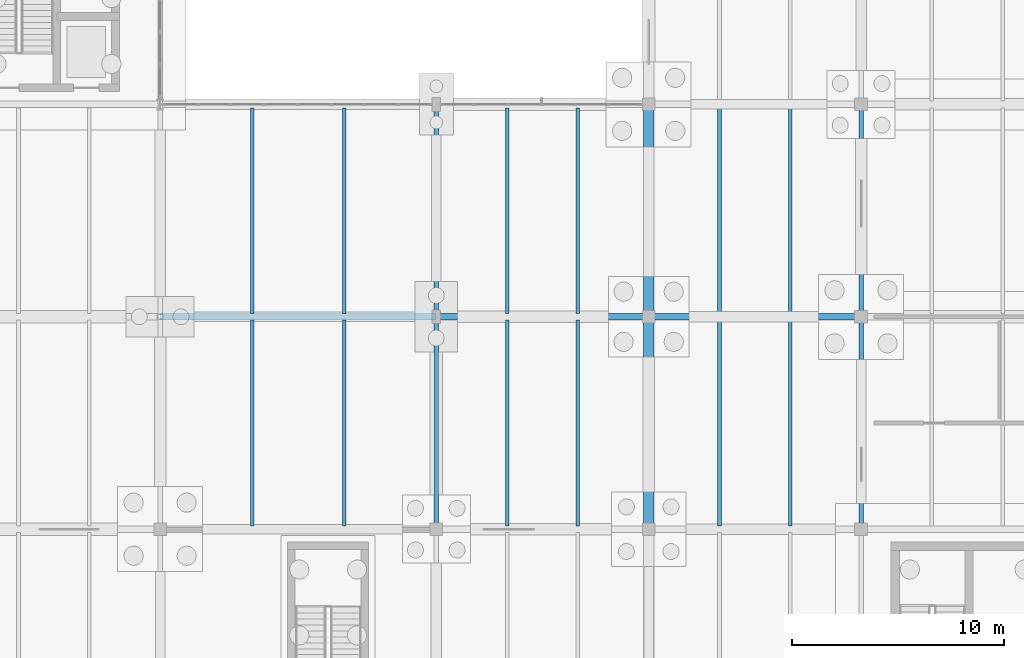
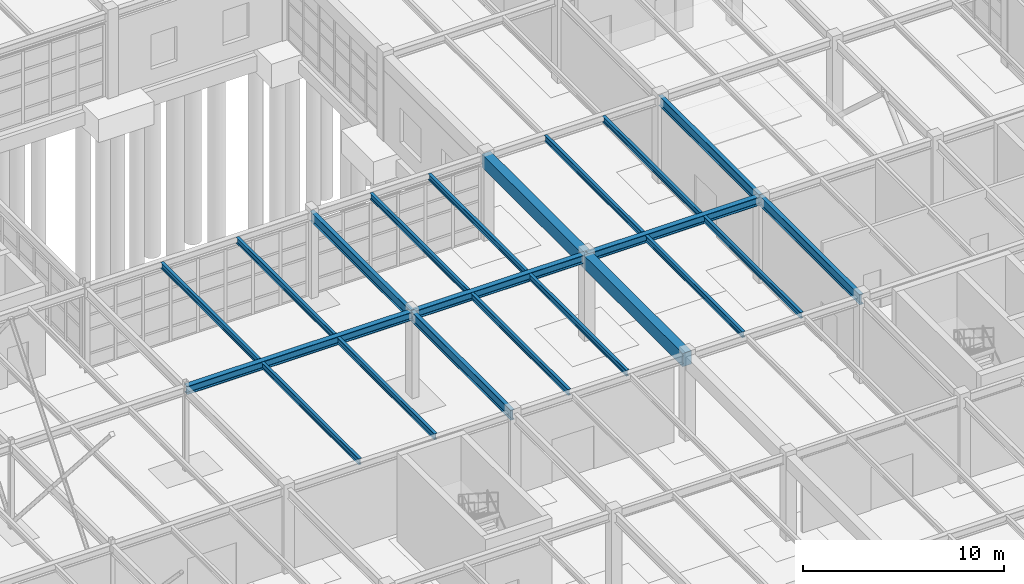
# One storey, part 67 of 145: 21 beams.
"""IFC4 building model written with IfcOpenShell, lengths in metres."""

from ifc_helpers import new_model, si_unit, direction, frame, origin, origin_2d, place, context, subcontext, project, spatial, rectangle, i_section, extrude, material, material_profile, profile_set, type_object, element, save


model = new_model("IFC4")

# Units and contexts
model_context = context("Model", 3, precision=1e-05, world=origin(), true_north=direction((0.0, 1.0)))
body_context = subcontext(model_context, "Body", "Model", "MODEL_VIEW")
ifc_project = project(units=[si_unit("LENGTHUNIT", "METRE"), si_unit("AREAUNIT", "SQUARE_METRE"), si_unit("VOLUMEUNIT", "CUBIC_METRE"), si_unit("PLANEANGLEUNIT", "RADIAN"), si_unit("MASSUNIT", "GRAM", prefix="KILO"), si_unit("THERMODYNAMICTEMPERATUREUNIT", "KELVIN"), si_unit("POWERUNIT", "WATT")], contexts=[model_context])

# Site, building, storey
site_placement = place(None, origin())
site = spatial("IfcSite", under=ifc_project, at=site_placement, CompositionType="ELEMENT")
building_placement = place(site_placement, origin())
building = spatial("IfcBuilding", under=site, at=building_placement, Name="Korenveer Ferry Terminal", CompositionType="ELEMENT")
storey_placement = place(building_placement, origin())
storey = spatial("IfcBuildingStorey", under=building, at=storey_placement, Name="L00", CompositionType="ELEMENT", Elevation=0.0)

# Beams
ifc_material_1 = material(Name="Steel S355", Category="steel")
ifc_material_profile_1 = material_profile(ifc_material_1, i_section(OverallWidth=0.300048828125, OverallDepth=0.5, WebThickness=0.014404296875, FlangeThickness=0.028076171875, FilletRadius=0.027099609375, at=origin_2d()), Name="HEB 500")
ifc_profile_set_1 = profile_set([ifc_material_profile_1], Name="Steel S355")
beam_type_1 = type_object("IfcBeamType", Name="STR-BM-HEB500", PredefinedType="BEAM", material=ifc_profile_set_1)
beam_placement = place(storey_placement, frame((123.02001953125, 40.0, 4.8701171875), z_axis=(1.0, 0.0, 0.0), x_axis=(0.0, 1.0, 0.0)))
element("IfcBeam", 1, at=beam_placement, inside=storey, type_object=beam_type_1, Name="Primary X girder BMX-L01-X123-136-Y40", PredefinedType="BEAM", context=body_context, shape_type="SweptSolid", body=[
    extrude(i_section(OverallWidth=0.300048828125, OverallDepth=0.5, WebThickness=0.014404296875, FlangeThickness=0.028076171875, FilletRadius=0.027099609375, at=origin_2d()), origin(), (0.0, 0.0, 1.0), 12.9599609375),
])
for number, where, z_axis, x_axis, name in (
    (2, (136.02001953125, 40.0, 4.8701171875), (1.0, 0.0, 0.0), (0.0, 1.0, 0.0), "Primary X girder BMX-L01-X136-146-Y40"),
    (3, (146.02001953125, 40.0, 4.8701171875), (1.0, 0.0, 0.0), (0.0, 1.0, 0.0), "Primary X girder BMX-L01-X146-156-Y40"),
):
    element("IfcBeam", number, at=place(storey_placement, frame(where, z_axis=z_axis, x_axis=x_axis)), inside=storey, type_object=beam_type_1, Name=name, PredefinedType="BEAM", context=body_context, shape_type="SweptSolid", body=[
        extrude(i_section(OverallWidth=0.300048828125, OverallDepth=0.5, WebThickness=0.014404296875, FlangeThickness=0.028076171875, FilletRadius=0.027099609375, at=origin_2d()), origin(), (0.0, 0.0, 1.0), 9.9599609375),
    ])
ifc_material_profile_2 = material_profile(ifc_material_1, i_section(OverallWidth=0.219970703125, OverallDepth=0.60009765625, WebThickness=0.011962890625, FlangeThickness=0.01904296875, FilletRadius=0.02392578125, at=origin_2d()), Name="IPE 600")
ifc_profile_set_2 = profile_set([ifc_material_profile_2], Name="Steel S355")
beam_type_2 = type_object("IfcBeamType", Name="STR-BM-IPE600", PredefinedType="BEAM", material=ifc_profile_set_2)
for number, where, z_axis, x_axis, name in (
    (4, (136.0, 30.02001953125, 4.820068359375), (0.0, 1.0, 0.0), (-1.0, 0.0, 0.0), "Primary Y girder BMY-L01-X136-Y30-40"),
    (5, (136.0, 40.02001953125, 4.820068359375), (0.0, 1.0, 0.0), (-1.0, 0.0, 0.0), "Primary Y girder BMY-L01-X136-Y40-50"),
    (6, (156.0, 30.02001953125, 4.820068359375), (0.0, 1.0, 0.0), (-1.0, 0.0, 0.0), "Primary Y girder BMY-L01-X156-Y30-40"),
    (7, (156.0, 40.02001953125, 4.820068359375), (0.0, 1.0, 0.0), (-1.0, 0.0, 0.0), "Primary Y girder BMY-L01-X156-Y40-50"),
):
    element("IfcBeam", number, at=place(storey_placement, frame(where, z_axis=z_axis, x_axis=x_axis)), inside=storey, type_object=beam_type_2, Name=name, PredefinedType="BEAM", context=body_context, shape_type="SweptSolid", body=[
        extrude(i_section(OverallWidth=0.219970703125, OverallDepth=0.60009765625, WebThickness=0.011962890625, FlangeThickness=0.01904296875, FilletRadius=0.02392578125, at=origin_2d()), origin(), (0.0, 0.0, 1.0), 9.9599609375),
    ])
ifc_material_2 = material(Name="Concrete C40/50", Category="concrete")
ifc_material_profile_3 = material_profile(ifc_material_2, rectangle(XDim=0.5, YDim=0.800048828125, at=origin_2d()), Name="RC 500x800")
ifc_profile_set_3 = profile_set([ifc_material_profile_3], Name="Concrete C40/50")
beam_type_3 = type_object("IfcBeamType", Name="STR-BM-RC500X800", PredefinedType="BEAM", material=ifc_profile_set_3)
for number, where, z_axis, x_axis, name in (
    (8, (146.0, 30.02001953125, 4.719970703125), (0.0, 1.0, 0.0), (-1.0, 0.0, 0.0), "Primary Y girder BMY-L01-X146-Y30-40"),
    (9, (146.0, 40.02001953125, 4.719970703125), (0.0, 1.0, 0.0), (-1.0, 0.0, 0.0), "Primary Y girder BMY-L01-X146-Y40-50"),
):
    element("IfcBeam", number, at=place(storey_placement, frame(where, z_axis=z_axis, x_axis=x_axis)), inside=storey, type_object=beam_type_3, Name=name, PredefinedType="BEAM", context=body_context, shape_type="SweptSolid", body=[
        extrude(rectangle(XDim=0.5, YDim=0.800048828125, at=origin_2d()), origin(), (0.0, 0.0, 1.0), 9.9599609375),
    ])
ifc_material_profile_4 = material_profile(ifc_material_1, i_section(OverallWidth=0.169921875, OverallDepth=0.360107421875, WebThickness=0.008056640625, FlangeThickness=0.0126953125, FilletRadius=0.01806640625, at=origin_2d()), Name="IPE 360")
ifc_profile_set_4 = profile_set([ifc_material_profile_4], Name="Steel S355")
beam_type_4 = type_object("IfcBeamType", Name="STR-JST-IPE360", PredefinedType="JOIST", material=ifc_profile_set_4)
for number, where, z_axis, x_axis, name in (
    (10, (127.333251953125, 30.159912109375, 4.93994140625), (0.0, 1.0, 0.0), (-1.0, 0.0, 0.0), "Secondary composite joist JST-L01-X1273-Y30-40"),
    (11, (131.666748046875, 30.159912109375, 4.93994140625), (0.0, 1.0, 0.0), (-1.0, 0.0, 0.0), "Secondary composite joist JST-L01-X1317-Y30-40"),
    (12, (127.333251953125, 40.159912109375, 4.93994140625), (0.0, 1.0, 0.0), (-1.0, 0.0, 0.0), "Secondary composite joist JST-L01-X1273-Y40-50"),
    (13, (131.666748046875, 40.159912109375, 4.93994140625), (0.0, 1.0, 0.0), (-1.0, 0.0, 0.0), "Secondary composite joist JST-L01-X1317-Y40-50"),
    (14, (139.333251953125, 30.159912109375, 4.93994140625), (0.0, 1.0, 0.0), (-1.0, 0.0, 0.0), "Secondary composite joist JST-L01-X1393-Y30-40"),
    (15, (142.666748046875, 30.159912109375, 4.93994140625), (0.0, 1.0, 0.0), (-1.0, 0.0, 0.0), "Secondary composite joist JST-L01-X1427-Y30-40"),
    (16, (139.333251953125, 40.159912109375, 4.93994140625), (0.0, 1.0, 0.0), (-1.0, 0.0, 0.0), "Secondary composite joist JST-L01-X1393-Y40-50"),
    (17, (142.666748046875, 40.159912109375, 4.93994140625), (0.0, 1.0, 0.0), (-1.0, 0.0, 0.0), "Secondary composite joist JST-L01-X1427-Y40-50"),
    (18, (149.333251953125, 30.159912109375, 4.93994140625), (0.0, 1.0, 0.0), (-1.0, 0.0, 0.0), "Secondary composite joist JST-L01-X1493-Y30-40"),
    (19, (152.666748046875, 30.159912109375, 4.93994140625), (0.0, 1.0, 0.0), (-1.0, 0.0, 0.0), "Secondary composite joist JST-L01-X1527-Y30-40"),
    (20, (149.333251953125, 40.159912109375, 4.93994140625), (0.0, 1.0, 0.0), (-1.0, 0.0, 0.0), "Secondary composite joist JST-L01-X1493-Y40-50"),
    (21, (152.666748046875, 40.159912109375, 4.93994140625), (0.0, 1.0, 0.0), (-1.0, 0.0, 0.0), "Secondary composite joist JST-L01-X1527-Y40-50"),
):
    element("IfcBeam", number, at=place(storey_placement, frame(where, z_axis=z_axis, x_axis=x_axis)), inside=storey, type_object=beam_type_4, Name=name, PredefinedType="JOIST", context=body_context, shape_type="SweptSolid", body=[
        extrude(i_section(OverallWidth=0.169921875, OverallDepth=0.360107421875, WebThickness=0.008056640625, FlangeThickness=0.0126953125, FilletRadius=0.01806640625, at=origin_2d()), origin(), (0.0, 0.0, 1.0), 9.68017578125),
    ])

save(model, "model.ifc")
